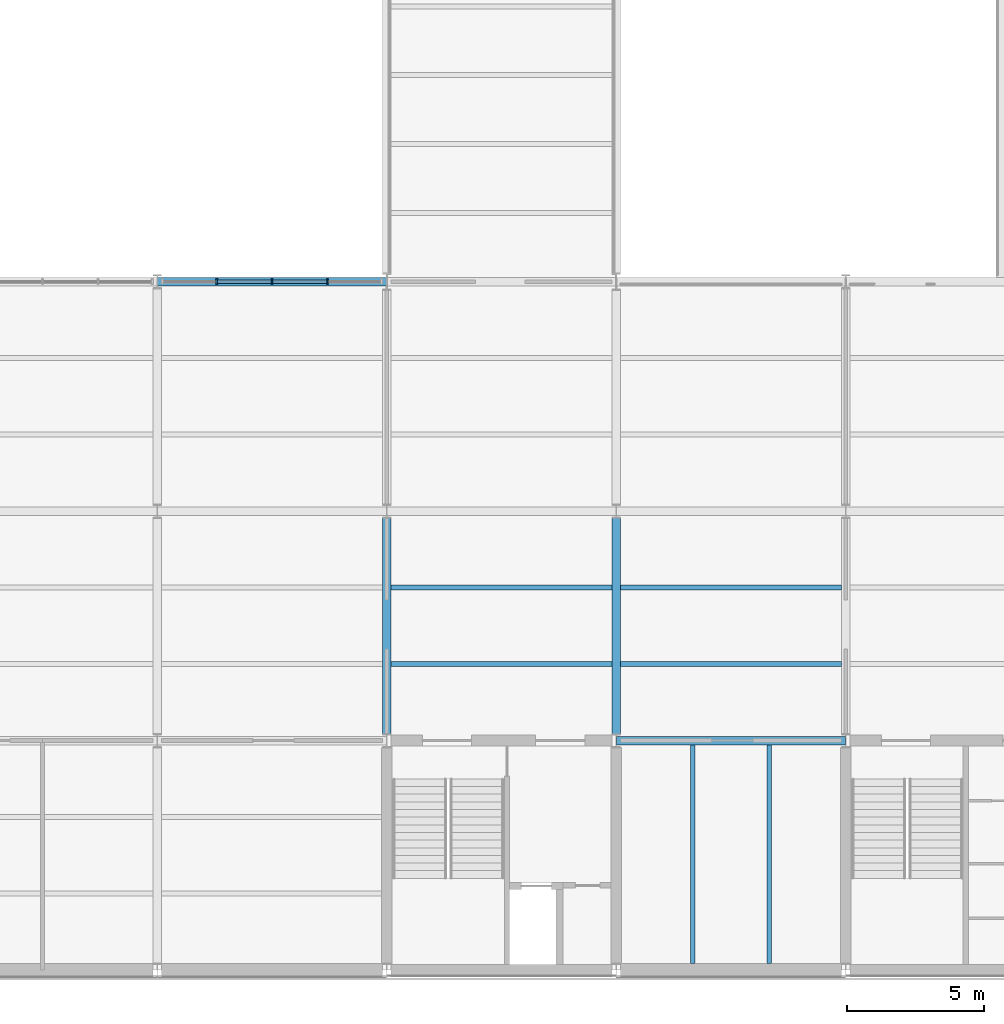
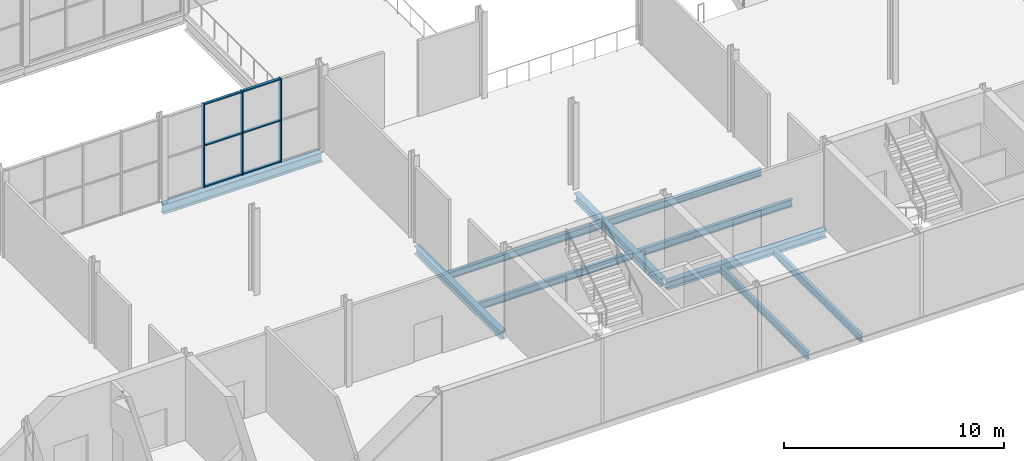
# One storey, part 11 of 61: 10 beams, 9 members, 1 element without a shape of its own.
"""IFC4 building model written with IfcOpenShell, lengths in metres."""

from ifc_helpers import new_model, si_unit, direction, frame, origin, origin_2d, place, context, subcontext, project, spatial, rectangle, i_section, extrude, material, layer, layer_set, material_profile, profile_set, type_object, element, aggregate, save


model = new_model("IFC4")

# Units and contexts
model_context = context("Model", 3, precision=1e-05, world=origin(), true_north=direction((0.0, 1.0)))
body_context = subcontext(model_context, "Body", "Model", "MODEL_VIEW")
ifc_project = project(units=[si_unit("LENGTHUNIT", "METRE"), si_unit("AREAUNIT", "SQUARE_METRE"), si_unit("VOLUMEUNIT", "CUBIC_METRE"), si_unit("PLANEANGLEUNIT", "RADIAN"), si_unit("MASSUNIT", "GRAM", prefix="KILO")], contexts=[model_context])

# Site, building, storey
site_placement = place(None, origin())
site = spatial("IfcSite", under=ifc_project, at=site_placement, CompositionType="ELEMENT")
building_placement = place(site_placement, origin())
building = spatial("IfcBuilding", under=site, at=building_placement, Name="Galleria Vessillo Department Store", CompositionType="ELEMENT")
storey_placement = place(building_placement, frame((0.0, 0.0, 11.39990234375)))
storey = spatial("IfcBuildingStorey", under=building, at=storey_placement, Name="L02", CompositionType="ELEMENT", Elevation=11.39990234375)

# Curtain wall, members
ifc_material_1 = material(Name="Aluminium and glass curtain wall", Category="aluminium")
ifc_layer = layer(ifc_material_1, 0.199951171875)
ifc_layer_set = layer_set([ifc_layer], Name="Aluminium and glass curtain wall")
curtain_wall_type = type_object("IfcCurtainWallType", Name="Arcade curtain wall CW1 2100 module", PredefinedType="NOTDEFINED", material=ifc_layer_set)
curtain_wall_placement = place(storey_placement, origin())
curtain_wall = element("IfcCurtainWall", 1, at=curtain_wall_placement, inside=storey, type_object=curtain_wall_type, Name="Arcade curtain wall CW1 2100 module AI-AW-S-L02-02", PredefinedType="NOTDEFINED")
ifc_material_2 = material(Name="Aluminium alloy 6063 T6", Category="aluminium")
ifc_material_profile_1 = material_profile(ifc_material_2, rectangle(XDim=0.199951171875, YDim=0.06005859375, at=origin_2d()), Name="AL 60x200")
ifc_profile_set_1 = profile_set([ifc_material_profile_1], Name="Aluminium alloy 6063 T6")
member_type_1 = type_object("IfcMemberType", Name="Aluminium mullion 60 x 200", PredefinedType="MULLION", material=ifc_profile_set_1)
member_1_placement = place(storey_placement, frame((27.376708984375, 25.199951171875, 0.0), z_axis=(0.0, 0.0, 1.0), x_axis=(0.0, 1.0, 0.0)))
member_1 = element("IfcMember", 2, at=member_1_placement, type_object=member_type_1, Name="CW1 mullion 2", PredefinedType="MULLION", context=body_context, shape_type="SweptSolid", body=[
    extrude(rectangle(XDim=0.199951171875, YDim=0.06005859375, at=origin_2d()), origin(), (0.0, 0.0, 1.0), 4.650146484375),
])
member_2_placement = place(storey_placement, frame((29.400390625, 25.199951171875, 0.0), z_axis=(0.0, 0.0, 1.0), x_axis=(0.0, 1.0, 0.0)))
member_2 = element("IfcMember", 3, at=member_2_placement, type_object=member_type_1, Name="CW1 mullion 3", PredefinedType="MULLION", context=body_context, shape_type="SweptSolid", body=[
    extrude(rectangle(XDim=0.199951171875, YDim=0.06005859375, at=origin_2d()), origin(), (0.0, 0.0, 1.0), 4.650146484375),
])
member_3_placement = place(storey_placement, frame((31.423828125, 25.199951171875, 0.0), z_axis=(0.0, 0.0, 1.0), x_axis=(0.0, 1.0, 0.0)))
member_3 = element("IfcMember", 4, at=member_3_placement, type_object=member_type_1, Name="CW1 mullion 4", PredefinedType="MULLION", context=body_context, shape_type="SweptSolid", body=[
    extrude(rectangle(XDim=0.199951171875, YDim=0.06005859375, at=origin_2d()), origin(), (0.0, 0.0, 1.0), 4.650146484375),
])
ifc_material_3 = material(Name="Aluminium alloy 6063 T6", Category="aluminium")
ifc_material_profile_2 = material_profile(ifc_material_3, rectangle(XDim=0.139892578125, YDim=0.070068359375, at=origin_2d()), Name="AL 70x140")
ifc_profile_set_2 = profile_set([ifc_material_profile_2], Name="Aluminium alloy 6063 T6")
member_type_2 = type_object("IfcMemberType", Name="Aluminium transom 70 x 140", PredefinedType="USERDEFINED", material=ifc_profile_set_2)
member_4_placement = place(storey_placement, frame((27.40673828125, 25.199951171875, 0.034912109375), z_axis=(1.0, 0.0, 0.0), x_axis=(0.0, 1.0, 0.0)))
member_4 = element("IfcMember", 5, at=member_4_placement, type_object=member_type_2, Name="CW1 transom 2.1", ObjectType="TRANSOM", PredefinedType="USERDEFINED", context=body_context, shape_type="SweptSolid", body=[
    extrude(rectangle(XDim=0.139892578125, YDim=0.070068359375, at=origin_2d()), origin(), (0.0, 0.0, 1.0), 1.963623046875),
])
member_5_placement = place(storey_placement, frame((27.40673828125, 25.199951171875, 2.3251953125), z_axis=(1.0, 0.0, 0.0), x_axis=(0.0, 1.0, 0.0)))
member_5 = element("IfcMember", 6, at=member_5_placement, type_object=member_type_2, Name="CW1 transom 2.2", ObjectType="TRANSOM", PredefinedType="USERDEFINED", context=body_context, shape_type="SweptSolid", body=[
    extrude(rectangle(XDim=0.139892578125, YDim=0.070068359375, at=origin_2d()), origin(), (0.0, 0.0, 1.0), 1.963623046875),
])
member_6_placement = place(storey_placement, frame((27.40673828125, 25.199951171875, 4.615234375), z_axis=(1.0, 0.0, 0.0), x_axis=(0.0, 1.0, 0.0)))
member_6 = element("IfcMember", 7, at=member_6_placement, type_object=member_type_2, Name="CW1 transom 2.3", ObjectType="TRANSOM", PredefinedType="USERDEFINED", context=body_context, shape_type="SweptSolid", body=[
    extrude(rectangle(XDim=0.139892578125, YDim=0.070068359375, at=origin_2d()), origin(), (0.0, 0.0, 1.0), 1.963623046875),
])
member_7_placement = place(storey_placement, frame((29.43017578125, 25.199951171875, 0.034912109375), z_axis=(1.0, 0.0, 0.0), x_axis=(0.0, 1.0, 0.0)))
member_7 = element("IfcMember", 8, at=member_7_placement, type_object=member_type_2, Name="CW1 transom 3.1", ObjectType="TRANSOM", PredefinedType="USERDEFINED", context=body_context, shape_type="SweptSolid", body=[
    extrude(rectangle(XDim=0.139892578125, YDim=0.070068359375, at=origin_2d()), origin(), (0.0, 0.0, 1.0), 1.963623046875),
])
member_8_placement = place(storey_placement, frame((29.43017578125, 25.199951171875, 2.3251953125), z_axis=(1.0, 0.0, 0.0), x_axis=(0.0, 1.0, 0.0)))
member_8 = element("IfcMember", 9, at=member_8_placement, type_object=member_type_2, Name="CW1 transom 3.2", ObjectType="TRANSOM", PredefinedType="USERDEFINED", context=body_context, shape_type="SweptSolid", body=[
    extrude(rectangle(XDim=0.139892578125, YDim=0.070068359375, at=origin_2d()), origin(), (0.0, 0.0, 1.0), 1.963623046875),
])
member_9_placement = place(storey_placement, frame((29.43017578125, 25.199951171875, 4.615234375), z_axis=(1.0, 0.0, 0.0), x_axis=(0.0, 1.0, 0.0)))
member_9 = element("IfcMember", 10, at=member_9_placement, type_object=member_type_2, Name="CW1 transom 3.3", ObjectType="TRANSOM", PredefinedType="USERDEFINED", context=body_context, shape_type="SweptSolid", body=[
    extrude(rectangle(XDim=0.139892578125, YDim=0.070068359375, at=origin_2d()), origin(), (0.0, 0.0, 1.0), 1.963623046875),
])
aggregate(curtain_wall, [member_1, member_2, member_3, member_4, member_5, member_6, member_7, member_8, member_9])

# Beams
ifc_material_4 = material(Name="Steel S355 J2", Category="steel")
ifc_material_profile_3 = material_profile(ifc_material_4, i_section(OverallWidth=0.300048828125, OverallDepth=0.43994140625, WebThickness=0.011474609375, FlangeThickness=0.02099609375, FilletRadius=0.027099609375, at=origin_2d()), Name="HEA 450")
ifc_profile_set_3 = profile_set([ifc_material_profile_3], Name="Steel S355 J2")
beam_type_1 = type_object("IfcBeamType", Name="Floor girder HEA 450", PredefinedType="BEAM", material=ifc_profile_set_3)
beam_1_placement = place(storey_placement, frame((42.00732421875, 8.39990234375, -0.369873046875), z_axis=(1.0, 0.0, 0.0), x_axis=(0.0, 1.0, 0.0)))
element("IfcBeam", 11, at=beam_1_placement, inside=storey, type_object=beam_type_1, Name="S-BM-L02-GI-x8400-42007", PredefinedType="BEAM", context=body_context, shape_type="SweptSolid", body=[
    extrude(i_section(OverallWidth=0.300048828125, OverallDepth=0.43994140625, WebThickness=0.011474609375, FlangeThickness=0.02099609375, FilletRadius=0.027099609375, at=origin_2d()), origin(), (0.0, 0.0, 1.0), 8.38525390625),
])
for number, where, z_axis, x_axis, name in (
    (12, (33.60009765625, 8.650146484375, -0.369873046875), (0.0, 1.0, 0.0), (-1.0, 0.0, 0.0), "S-BM-L02-GI-y33600-8650"),
    (13, (42.0, 8.650146484375, -0.369873046875), (0.0, 1.0, 0.0), (-1.0, 0.0, 0.0), "S-BM-L02-GI-y42000-8650"),
):
    element("IfcBeam", number, at=place(storey_placement, frame(where, z_axis=z_axis, x_axis=x_axis)), inside=storey, type_object=beam_type_1, Name=name, PredefinedType="BEAM", context=body_context, shape_type="SweptSolid", body=[
        extrude(i_section(OverallWidth=0.300048828125, OverallDepth=0.43994140625, WebThickness=0.011474609375, FlangeThickness=0.02099609375, FilletRadius=0.027099609375, at=origin_2d()), origin(), (0.0, 0.0, 1.0), 7.899658203125),
    ])
ifc_material_5 = material(Name="Steel S355 J2", Category="steel")
ifc_material_profile_4 = material_profile(ifc_material_5, i_section(OverallWidth=0.179931640625, OverallDepth=0.39990234375, WebThickness=0.008544921875, FlangeThickness=0.013427734375, FilletRadius=0.02099609375, at=origin_2d()), Name="IPE 400")
ifc_profile_set_4 = profile_set([ifc_material_profile_4], Name="Steel S355 J2")
beam_type_2 = type_object("IfcBeamType", Name="Floor joist IPE 400", PredefinedType="JOIST", material=ifc_profile_set_4)
for number, where, z_axis, x_axis, name in (
    (14, (33.750244140625, 11.199951171875, -0.349853515625), (1.0, 0.0, 0.0), (0.0, 1.0, 0.0), "S-BM-L02-JO-x11200-33750"),
    (15, (33.750244140625, 14.0, -0.349853515625), (1.0, 0.0, 0.0), (0.0, 1.0, 0.0), "S-BM-L02-JO-x14000-33750"),
):
    element("IfcBeam", number, at=place(storey_placement, frame(where, z_axis=z_axis, x_axis=x_axis)), inside=storey, type_object=beam_type_2, Name=name, PredefinedType="JOIST", context=body_context, shape_type="SweptSolid", body=[
        extrude(i_section(OverallWidth=0.179931640625, OverallDepth=0.39990234375, WebThickness=0.008544921875, FlangeThickness=0.013427734375, FilletRadius=0.02099609375, at=origin_2d()), origin(), (0.0, 0.0, 1.0), 8.099609375),
    ])
for number, where, z_axis, x_axis, name in (
    (16, (44.800048828125, 0.250244140625, -0.349853515625), (0.0, 1.0, 0.0), (-1.0, 0.0, 0.0), "S-BM-L02-JO-y44800-250"),
    (17, (47.60009765625, 0.250244140625, -0.349853515625), (0.0, 1.0, 0.0), (-1.0, 0.0, 0.0), "S-BM-L02-JO-y47600-250"),
):
    element("IfcBeam", number, at=place(storey_placement, frame(where, z_axis=z_axis, x_axis=x_axis)), inside=storey, type_object=beam_type_2, Name=name, PredefinedType="JOIST", context=body_context, shape_type="SweptSolid", body=[
        extrude(i_section(OverallWidth=0.179931640625, OverallDepth=0.39990234375, WebThickness=0.008544921875, FlangeThickness=0.013427734375, FilletRadius=0.02099609375, at=origin_2d()), origin(), (0.0, 0.0, 1.0), 7.99951171875),
    ])
for number, where, z_axis, x_axis, name in (
    (18, (42.150146484375, 11.199951171875, -0.349853515625), (1.0, 0.0, 0.0), (0.0, 1.0, 0.0), "S-BM-L02-JO-x11200-42150"),
    (19, (42.150146484375, 14.0, -0.349853515625), (1.0, 0.0, 0.0), (0.0, 1.0, 0.0), "S-BM-L02-JO-x14000-42150"),
):
    element("IfcBeam", number, at=place(storey_placement, frame(where, z_axis=z_axis, x_axis=x_axis)), inside=storey, type_object=beam_type_2, Name=name, PredefinedType="JOIST", context=body_context, shape_type="SweptSolid", body=[
        extrude(i_section(OverallWidth=0.179931640625, OverallDepth=0.39990234375, WebThickness=0.008544921875, FlangeThickness=0.013427734375, FilletRadius=0.02099609375, at=origin_2d()), origin(), (0.0, 0.0, 1.0), 8.099609375),
    ])
ifc_material_6 = material(Name="Steel S355 J2", Category="steel")
ifc_material_profile_5 = material_profile(ifc_material_6, i_section(OverallWidth=0.300048828125, OverallDepth=0.5400390625, WebThickness=0.012451171875, FlangeThickness=0.02392578125, FilletRadius=0.027099609375, at=origin_2d()), Name="HEA 550")
ifc_profile_set_5 = profile_set([ifc_material_profile_5], Name="Steel S355 J2")
beam_type_3 = type_object("IfcBeamType", Name="Trimmer beam HEA 550", PredefinedType="BEAM", material=ifc_profile_set_5)
beam_2_placement = place(storey_placement, frame((25.210693359375, 25.199951171875, -0.419921875), z_axis=(1.0, 0.0, 0.0), x_axis=(0.0, 1.0, 0.0)))
element("IfcBeam", 20, at=beam_2_placement, inside=storey, type_object=beam_type_3, Name="S-BM-L02-TR-x25200-25211", PredefinedType="BEAM", context=body_context, shape_type="SweptSolid", body=[
    extrude(i_section(OverallWidth=0.300048828125, OverallDepth=0.5400390625, WebThickness=0.012451171875, FlangeThickness=0.02392578125, FilletRadius=0.027099609375, at=origin_2d()), origin(), (0.0, 0.0, 1.0), 8.378662109375),
])

save(model, "model.ifc")
